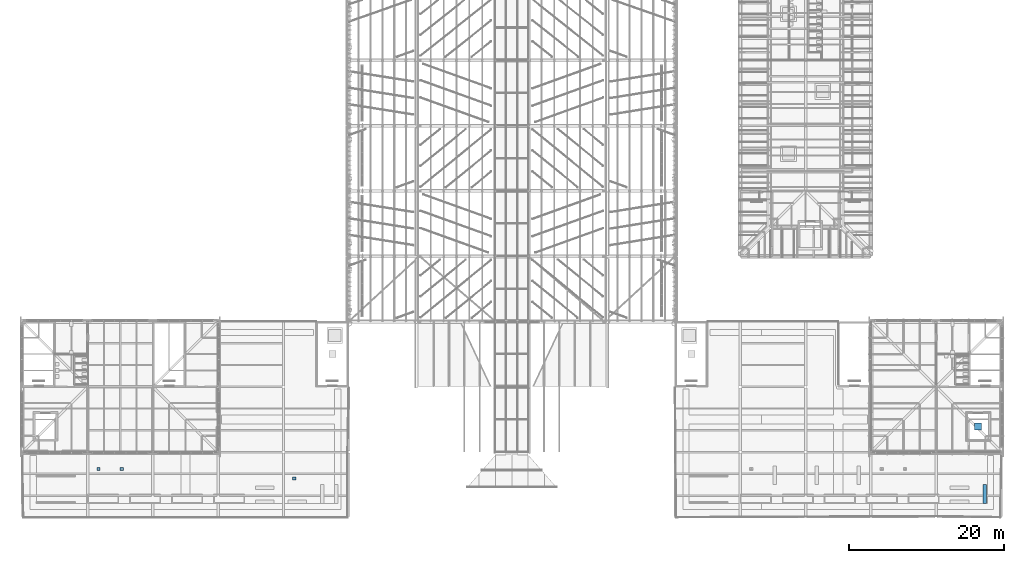
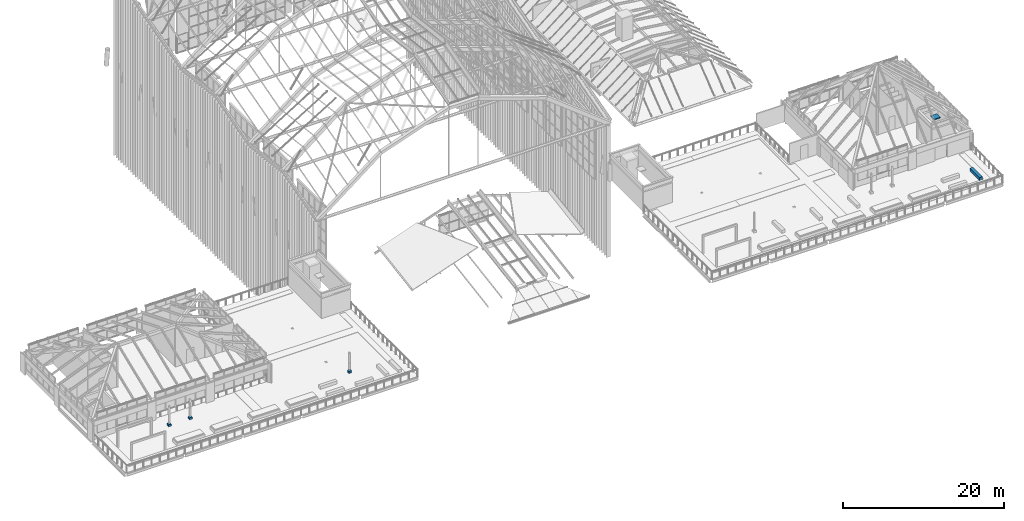
# One storey, part 86 of 126: 5 discrete accessories.
"""IFC4 building model written with IfcOpenShell, lengths in metres."""

from ifc_helpers import new_model, si_unit, direction, frame, origin, origin_2d, place, context, subcontext, project, spatial, rectangle, extrude, material, type_object, element, save


model = new_model("IFC4")

# Units and contexts
model_context = context("Model", 3, precision=1e-05, world=origin(), true_north=direction((0.0, 1.0)))
body_context = subcontext(model_context, "Body", "Model", "MODEL_VIEW")
ifc_project = project(units=[si_unit("LENGTHUNIT", "METRE"), si_unit("AREAUNIT", "SQUARE_METRE"), si_unit("VOLUMEUNIT", "CUBIC_METRE"), si_unit("PLANEANGLEUNIT", "RADIAN"), si_unit("MASSUNIT", "GRAM", prefix="KILO")], contexts=[model_context])

# Site, building, storey
site_placement = place(None, origin())
site = spatial("IfcSite", under=ifc_project, at=site_placement, CompositionType="ELEMENT")
building_placement = place(site_placement, origin())
building = spatial("IfcBuilding", under=site, at=building_placement, Name="Sava Quay Ferry Terminal", CompositionType="ELEMENT")
storey_placement = place(building_placement, frame((0.0, 0.0, 15.0)))
storey = spatial("IfcBuildingStorey", under=building, at=storey_placement, Name="L03", CompositionType="ELEMENT", Elevation=15.0)

# Discrete accessories
ifc_material_1 = material(Name="Timber", Category="wood")
discrete_accessory_type_1 = type_object("IfcDiscreteAccessoryType", Name="Garden bench 2400x450", PredefinedType="NOTDEFINED", material=ifc_material_1)
discrete_accessory_1_placement = place(storey_placement, frame((123.824951171875, 28.199951171875, 0.0), z_axis=(0.0, 0.0, 1.0), x_axis=(1.0, 0.0, 0.0)))
element("IfcDiscreteAccessory", 1, at=discrete_accessory_1_placement, inside=storey, type_object=discrete_accessory_type_1, Name="Garden bench", PredefinedType="NOTDEFINED", context=body_context, shape_type="SweptSolid", body=[
    extrude(rectangle(XDim=0.449951171875, YDim=2.39990234375, at=origin_2d()), origin(), (0.0, 0.0, 1.0), 0.449951171875),
])
ifc_material_2 = material(Name="Galvanised steel S355J2", Category="steel")
discrete_accessory_type_2 = type_object("IfcDiscreteAccessoryType", Name="Roof access hatch 900x900", PredefinedType="NOTDEFINED", material=ifc_material_2)
discrete_accessory_2_placement = place(storey_placement, frame((123.0, 36.89990234375, 3.829833984375), z_axis=(0.0, 0.0, 1.0), x_axis=(1.0, 0.0, 0.0)))
element("IfcDiscreteAccessory", 2, at=discrete_accessory_2_placement, inside=storey, type_object=discrete_accessory_type_2, Name="Roof access hatch LF-P2", PredefinedType="NOTDEFINED", context=body_context, shape_type="SweptSolid", body=[
    extrude(rectangle(XDim=0.89990234375, YDim=0.89990234375, at=origin_2d()), origin(), (0.0, 0.0, 1.0), 0.1201171875),
])
ifc_material_3 = material(Name="Precast concrete C30/37", Category="concrete")
discrete_accessory_type_3 = type_object("IfcDiscreteAccessoryType", Name="Terrace lamp base 400", PredefinedType="NOTDEFINED", material=ifc_material_3)
for number, where, z_axis, x_axis, name in (
    (3, (35.0, 30.199951171875, 0.0), (0.0, 0.0, 1.0), (1.0, 0.0, 0.0), "Terrace lamp base"),
    (4, (9.800048828125, 31.39990234375, 0.0), (0.0, 0.0, 1.0), (1.0, 0.0, 0.0), "Terrace lamp base"),
    (5, (12.800048828125, 31.39990234375, 0.0), (0.0, 0.0, 1.0), (1.0, 0.0, 0.0), "Terrace lamp base"),
):
    element("IfcDiscreteAccessory", number, at=place(storey_placement, frame(where, z_axis=z_axis, x_axis=x_axis)), inside=storey, type_object=discrete_accessory_type_3, Name=name, PredefinedType="NOTDEFINED", context=body_context, shape_type="SweptSolid", body=[
        extrude(rectangle(XDim=0.39990234375, YDim=0.39990234375, at=origin_2d()), origin(), (0.0, 0.0, 1.0), 0.300048828125),
    ])

save(model, "model.ifc")
